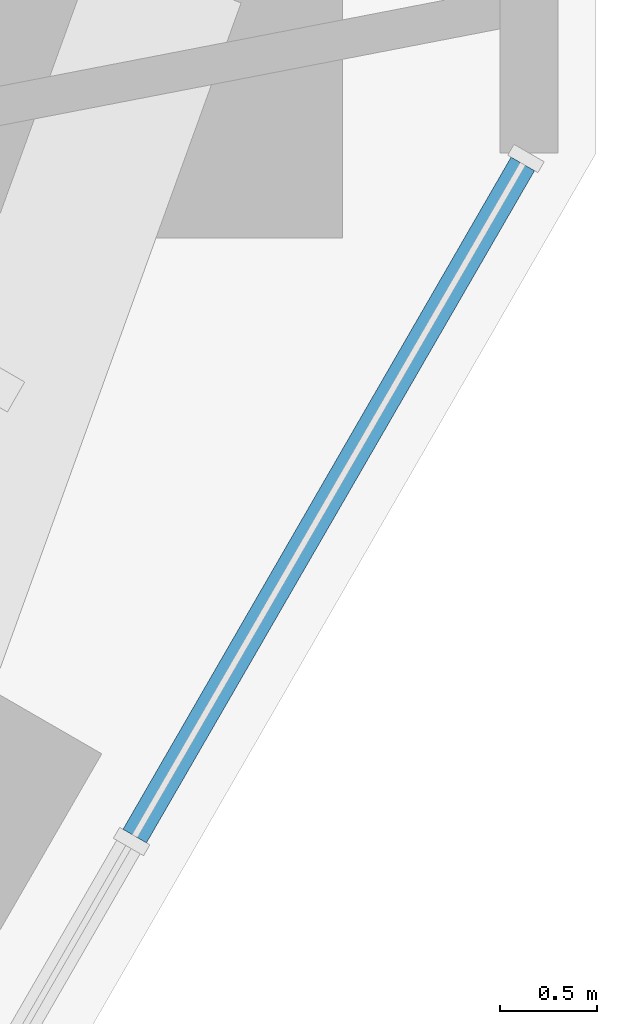
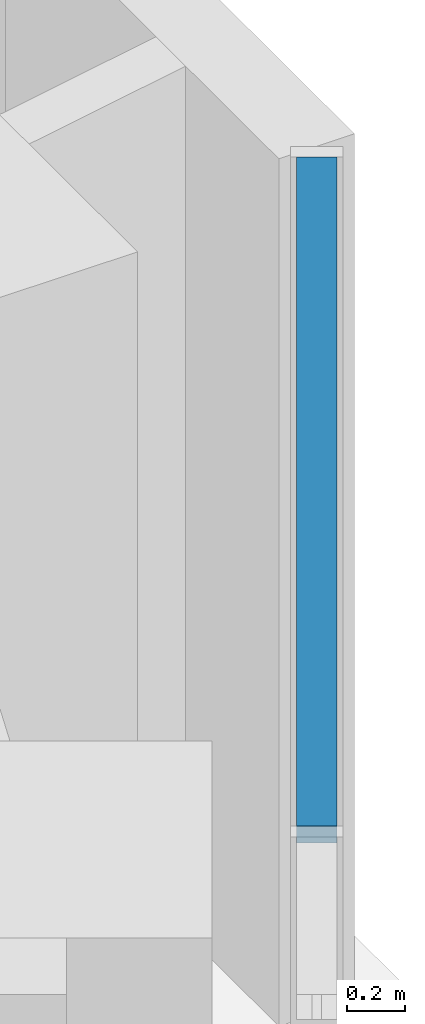
# One storey, part 6 of 16: 1 member, 1 element without a shape of its own.
"""IFC4 building model written with IfcOpenShell, lengths in metres."""

from ifc_helpers import new_model, si_unit, direction, frame, origin, origin_2d, place, context, subcontext, project, spatial, rectangle, extrude, material, material_profile, profile_set, type_object, element, aggregate, save


model = new_model("IFC4")

# Units and contexts
model_context = context("Model", 3, precision=1e-05, world=origin(), true_north=direction((0.0, 1.0)))
body_context = subcontext(model_context, "Body", "Model", "MODEL_VIEW")
ifc_project = project(units=[si_unit("LENGTHUNIT", "METRE"), si_unit("AREAUNIT", "SQUARE_METRE"), si_unit("VOLUMEUNIT", "CUBIC_METRE"), si_unit("PLANEANGLEUNIT", "RADIAN"), si_unit("MASSUNIT", "GRAM", prefix="KILO")], contexts=[model_context])

# Site, building, storey
site_placement = place(None, origin())
site = spatial("IfcSite", under=ifc_project, at=site_placement, CompositionType="ELEMENT")
building_placement = place(site_placement, origin())
building = spatial("IfcBuilding", under=site, at=building_placement, Name="Sandreach Pilgrim Tower", CompositionType="ELEMENT")
storey_placement = place(building_placement, frame((0.0, 0.0, 134.800048828125)))
storey = spatial("IfcBuildingStorey", under=building, at=storey_placement, Name="L33", CompositionType="ELEMENT", Elevation=134.800048828125)

# Curtain wall, member
ifc_material_1 = material(Name="Aluminium framed curtain wall", Category="aluminium")
curtain_wall_type = type_object("IfcCurtainWallType", Name="Hotel tower curtain wall", PredefinedType="NOTDEFINED", material=ifc_material_1)
curtain_wall_placement = place(storey_placement, origin())
curtain_wall = element("IfcCurtainWall", 1, at=curtain_wall_placement, inside=storey, type_object=curtain_wall_type, Name="CW-2 L33 SE", PredefinedType="NOTDEFINED")
ifc_material_2 = material(Name="Aluminium extrusion", Category="aluminium")
ifc_material_profile = material_profile(ifc_material_2, rectangle(XDim=0.139892578125, YDim=0.070068359375, at=origin_2d()), Name="CW-2T 140X70")
ifc_profile_set = profile_set([ifc_material_profile], Name="Aluminium extrusion")
member_type = type_object("IfcMemberType", Name="CW-2 transom", PredefinedType="USERDEFINED", material=ifc_profile_set)
member_placement = place(storey_placement, frame((28.6884765625, 4.7021484375, 3.60498046875), z_axis=(-0.500015851672, -0.866016251624, 0.0), x_axis=(0.866016251624, -0.500015851672, 0.0)))
member = element("IfcMember", 2, at=member_placement, type_object=member_type, Name="CW-2 head transom 1", ObjectType="TRANSOM", PredefinedType="USERDEFINED", context=body_context, shape_type="SweptSolid", body=[
    extrude(rectangle(XDim=0.139892578125, YDim=0.070068359375, at=origin_2d()), origin(), (0.0, 0.0, 1.0), 4.009521484375),
])
aggregate(curtain_wall, [member])

save(model, "model.ifc")
